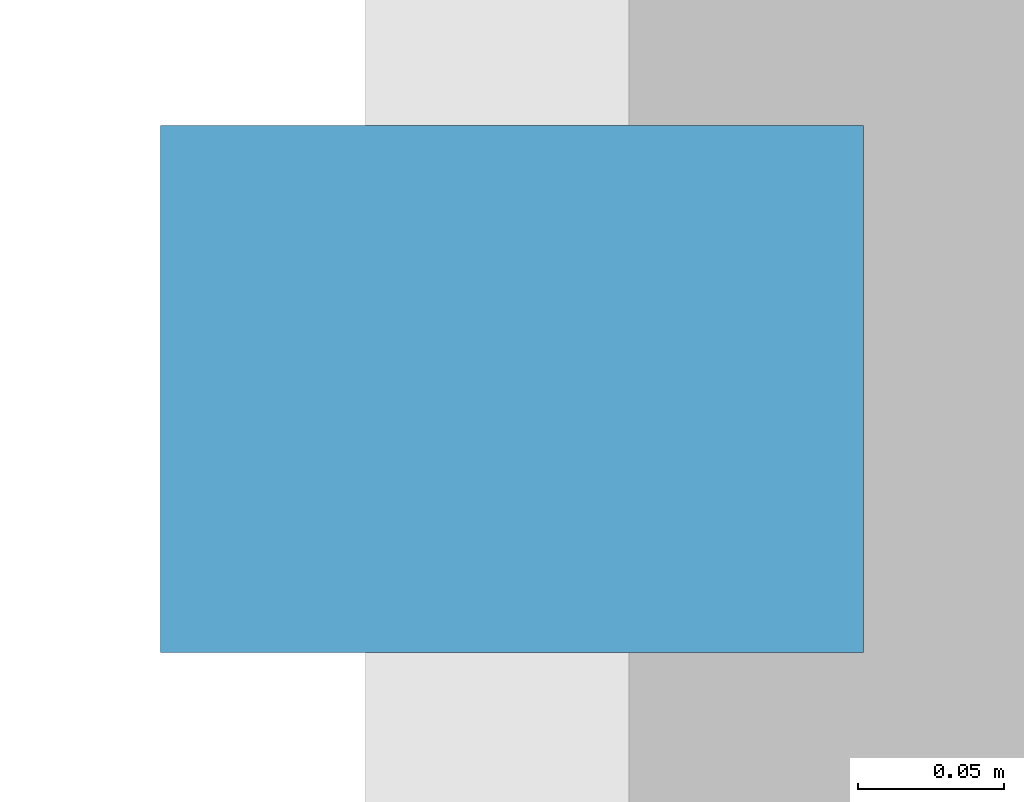
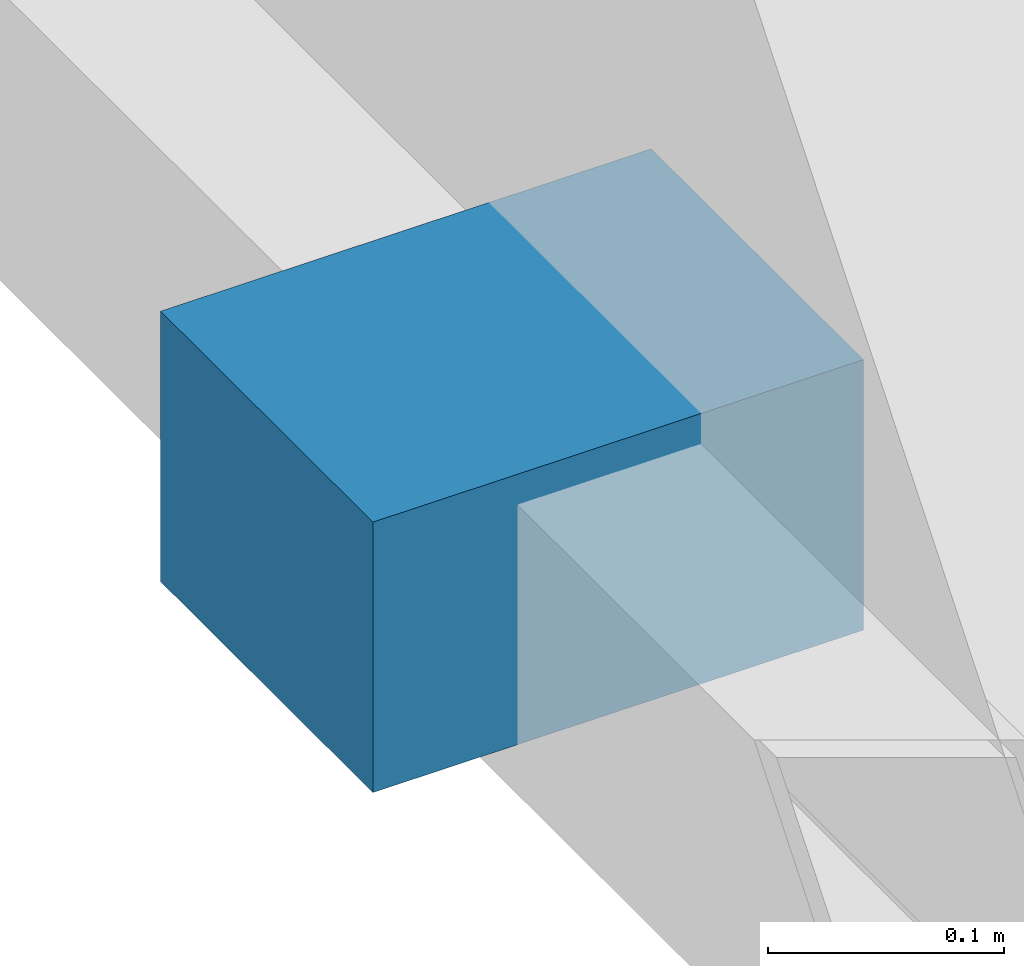
# One storey, part 89 of 117: 1 discrete accessory.
"""IFC4 building model written with IfcOpenShell, lengths in metres."""

from ifc_helpers import new_model, si_unit, direction, frame, origin, origin_2d, place, context, subcontext, project, spatial, rectangle, extrude, material, layer, layer_set, type_object, element, save


model = new_model("IFC4")

# Units and contexts
model_context = context("Model", 3, precision=1e-05, world=origin(), true_north=direction((0.0, 1.0)))
body_context = subcontext(model_context, "Body", "Model", "MODEL_VIEW")
ifc_project = project(units=[si_unit("LENGTHUNIT", "METRE"), si_unit("AREAUNIT", "SQUARE_METRE"), si_unit("VOLUMEUNIT", "CUBIC_METRE"), si_unit("PLANEANGLEUNIT", "RADIAN"), si_unit("MASSUNIT", "GRAM", prefix="KILO")], contexts=[model_context])

# Site, building, storey
site_placement = place(None, origin())
site = spatial("IfcSite", under=ifc_project, at=site_placement, CompositionType="ELEMENT")
building_placement = place(site_placement, origin())
building = spatial("IfcBuilding", under=site, at=building_placement, Name="Haebicheon Civic Stadium", CompositionType="ELEMENT")
storey_placement = place(building_placement, frame((0.0, 0.0, 4.800048828125)))
storey = spatial("IfcBuildingStorey", under=building, at=storey_placement, Name="L02", CompositionType="ELEMENT", Elevation=4.800048828125)

# Discrete accessory
ifc_material = material(Name="Stainless steel 316", Category="steel")
ifc_layer = layer(ifc_material, 0.139892578125, Name="Stainless steel 316")
ifc_layer_set = layer_set([ifc_layer], Name="Stainless steel 316")
discrete_accessory_type = type_object("IfcDiscreteAccessoryType", Name="BRK-LVR-CLEAT", PredefinedType="BRACKET", material=ifc_layer_set)
discrete_accessory_placement = place(storey_placement, frame((-0.31494140625, 120.0, 0.009765625), z_axis=(0.0, 0.0, 1.0), x_axis=(1.0, 0.0, 0.0)))
element("IfcDiscreteAccessory", 1, at=discrete_accessory_placement, inside=storey, type_object=discrete_accessory_type, material=ifc_layer_set, Name="SCR-BOUL L02 stainless bracket cleat 9B", PredefinedType="BRACKET", context=body_context, shape_type="SweptSolid", body=[
    extrude(rectangle(XDim=0.239990234375, YDim=0.179931640625, at=origin_2d()), origin(), (0.0, 0.0, 1.0), 0.139892578125),
])

save(model, "model.ifc")
